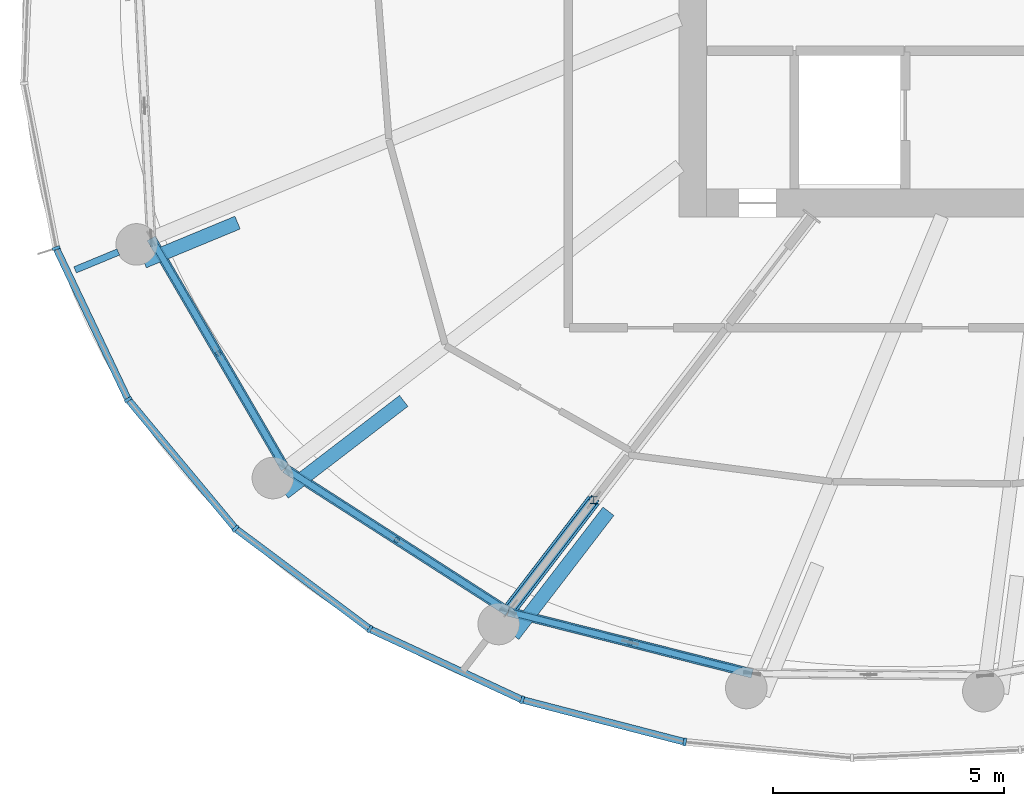
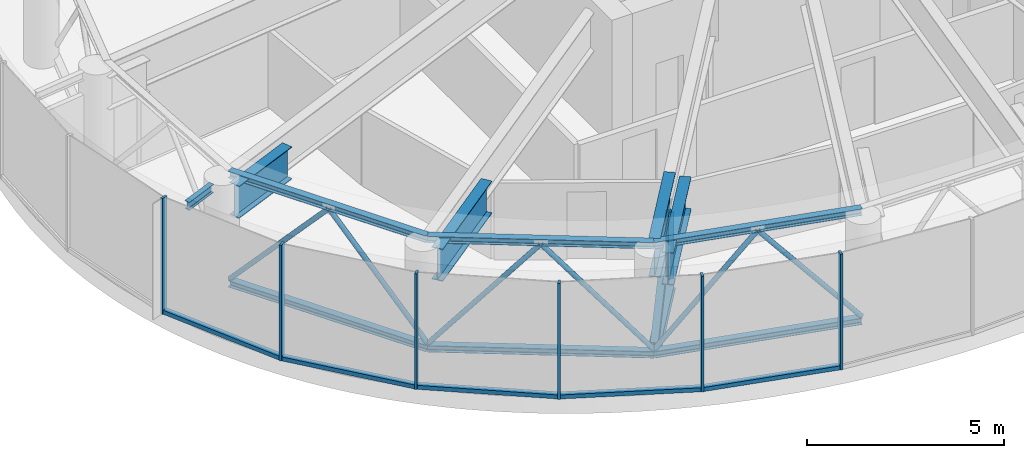
# One storey, part 2 of 26: 26 members, 5 beams, 1 element without a shape of its own.
"""IFC4 building model written with IfcOpenShell, lengths in metres."""

from ifc_helpers import new_model, si_unit, direction, frame, origin, origin_2d, place, context, subcontext, project, spatial, rectangle, hollow_circle, i_section, extrude, source, transform, mapped, material, layer, layer_set, material_profile, profile_set, type_object, element, aggregate, save


model = new_model("IFC4")

# Units and contexts
model_context = context("Model", 3, precision=1e-05, world=origin(), true_north=direction((0.0, 1.0)))
body_context = subcontext(model_context, "Body", "Model", "MODEL_VIEW")
ifc_project = project(units=[si_unit("LENGTHUNIT", "METRE"), si_unit("AREAUNIT", "SQUARE_METRE"), si_unit("VOLUMEUNIT", "CUBIC_METRE"), si_unit("PLANEANGLEUNIT", "RADIAN"), si_unit("MASSUNIT", "GRAM", prefix="KILO")], contexts=[model_context])

# Site, building, storey
site_placement = place(None, origin())
site = spatial("IfcSite", under=ifc_project, at=site_placement, CompositionType="ELEMENT")
building_placement = place(site_placement, origin())
building = spatial("IfcBuilding", under=site, at=building_placement, Name="Spindrift Exchange Tower", CompositionType="ELEMENT")
storey_placement = place(building_placement, frame((0.0, 0.0, 230.60009765625)))
storey = spatial("IfcBuildingStorey", under=building, at=storey_placement, Name="L56", CompositionType="ELEMENT", Elevation=230.60009765625)

# Beams
ifc_material_1 = material(Name="Steel Grade 300", Category="steel")
ifc_material_profile_1 = material_profile(ifc_material_1, i_section(OverallWidth=0.14599609375, OverallDepth=0.251953125, WebThickness=0.006103515625, FlangeThickness=0.008544921875, FilletRadius=0.011962890625, at=origin_2d()), Name="250UB31.4")
ifc_profile_set_1 = profile_set([ifc_material_profile_1], Name="Steel Grade 300")
beam_type_1 = type_object("IfcBeamType", Name="Cantilever Beam 250UB31.4 Steel Grade 300", PredefinedType="BEAM", material=ifc_profile_set_1)
shared_shape_1 = source(origin(), body_context, "Body", "SweptSolid", [
    extrude(i_section(OverallWidth=0.14599609375, OverallDepth=0.251953125, WebThickness=0.006103515625, FlangeThickness=0.008544921875, FilletRadius=0.011962890625, at=origin_2d()), origin(), (0.0, 0.0, 1.0), 1.014892578125),
])
beam_1_placement = place(storey_placement, frame((30.849609375, 39.2392578125, 3.453857421875), z_axis=(-0.923879047191, -0.38268460403, 0.0), x_axis=(0.38268460403, -0.923879047191, 0.0)))
element("IfcBeam", 1, at=beam_1_placement, inside=storey, type_object=beam_type_1, Name="L56 cantilever beam R14T", PredefinedType="BEAM", context=body_context, shape_type="MappedRepresentation", body=[
    mapped(shared_shape_1, transform((0.0, 0.0, 0.0), scale=1.0)),
])
ifc_material_profile_2 = material_profile(ifc_material_1, i_section(OverallWidth=0.300048828125, OverallDepth=1.199951171875, WebThickness=0.011962890625, FlangeThickness=0.028076171875, at=origin_2d()), Name="1200WB249")
ifc_profile_set_2 = profile_set([ifc_material_profile_2], Name="Steel Grade 300")
beam_type_2 = type_object("IfcBeamType", Name="Outrigger Truss Transfer Girder 1200WB249 Steel Grade 300", PredefinedType="BEAM", material=ifc_profile_set_2)
shared_shape_2 = source(origin(), body_context, "Body", "SweptSolid", [
    extrude(i_section(OverallWidth=0.300048828125, OverallDepth=1.199951171875, WebThickness=0.011962890625, FlangeThickness=0.028076171875, at=origin_2d()), origin(), (0.0, 0.0, 1.0), 2.95703125),
])
beam_2_placement = place(storey_placement, frame((41.153076171875, 33.864013671875, 2.97998046875), z_axis=(-0.608748695602, -0.793363110815, 0.0), x_axis=(0.793363110815, -0.608748695602, 0.0)))
element("IfcBeam", 2, at=beam_2_placement, inside=storey, type_object=beam_type_2, Name="L56 outrigger truss 16 top chord 2", PredefinedType="BEAM", context=body_context, shape_type="MappedRepresentation", body=[
    mapped(shared_shape_2, transform((0.0, 0.0, 0.0), scale=1.0)),
])

# Members
ifc_material_profile_3 = material_profile(ifc_material_1, i_section(OverallWidth=0.304931640625, OverallDepth=0.30810546875, WebThickness=0.010009765625, FlangeThickness=0.015380859375, FilletRadius=0.0166015625, at=origin_2d()), Name="310UC96.8")
ifc_profile_set_3 = profile_set([ifc_material_profile_3], Name="Steel Grade 300")
member_type_1 = type_object("IfcMemberType", Name="Outrigger Truss Chord 310UC96.8 Steel Grade 300", PredefinedType="CHORD", material=ifc_profile_set_3)
shared_shape_3 = source(origin(), body_context, "Body", "SweptSolid", [
    extrude(i_section(OverallWidth=0.304931640625, OverallDepth=0.30810546875, WebThickness=0.010009765625, FlangeThickness=0.015380859375, FilletRadius=0.0166015625, at=origin_2d()), origin(), (0.0, 0.0, 1.0), 2.95703125),
])
member_1_placement = place(storey_placement, frame((41.153076171875, 33.864013671875, 0.15380859375), z_axis=(-0.608748695602, -0.793363110815, 0.0), x_axis=(0.793363110815, -0.608748695602, 0.0)))
element("IfcMember", 3, at=member_1_placement, inside=storey, type_object=member_type_1, Name="L56 outrigger truss 16 bottom chord 2", PredefinedType="CHORD", context=body_context, shape_type="MappedRepresentation", body=[
    mapped(shared_shape_3, transform((0.0, 0.0, 0.0), scale=1.0)),
])
ifc_material_profile_4 = material_profile(ifc_material_1, i_section(OverallWidth=0.202880859375, OverallDepth=0.202880859375, WebThickness=0.00732421875, FlangeThickness=0.010986328125, FilletRadius=0.012939453125, at=origin_2d()), Name="200UC46.2")
ifc_profile_set_4 = profile_set([ifc_material_profile_4], Name="Steel Grade 300")
member_type_2 = type_object("IfcMemberType", Name="Outrigger Truss Diagonal 200UC46.2 Steel Grade 300", PredefinedType="BRACE", material=ifc_profile_set_4)
shared_shape_4 = source(origin(), body_context, "Body", "SweptSolid", [
    extrude(i_section(OverallWidth=0.202880859375, OverallDepth=0.202880859375, WebThickness=0.00732421875, FlangeThickness=0.010986328125, FilletRadius=0.012939453125, at=origin_2d()), origin(), (0.0, 0.0, 1.0), 3.610595703125),
])
member_2_placement = place(storey_placement, frame((41.153076171875, 33.864013671875, 2.3798828125), z_axis=(-0.498536349388, -0.649726811511, -0.573861114507), x_axis=(0.793363110815, -0.608748695602, 0.0)))
element("IfcMember", 4, at=member_2_placement, inside=storey, type_object=member_type_2, Name="L56 outrigger truss 16 diagonal 2", PredefinedType="BRACE", context=body_context, shape_type="MappedRepresentation", body=[
    mapped(shared_shape_4, transform((0.0, 0.0, 0.0), scale=1.0)),
])
ifc_material_profile_5 = material_profile(ifc_material_1, i_section(OverallWidth=0.152099609375, OverallDepth=0.152099609375, WebThickness=0.006103515625, FlangeThickness=0.0068359375, FilletRadius=0.008056640625, at=origin_2d()), Name="150UC23.4")
ifc_profile_set_5 = profile_set([ifc_material_profile_5], Name="Steel Grade 300")
member_type_3 = type_object("IfcMemberType", Name="Outrigger Truss Post 150UC23.4 Steel Grade 300", PredefinedType="POST", material=ifc_profile_set_5)
shared_shape_5 = source(origin(), body_context, "Body", "SweptSolid", [
    extrude(i_section(OverallWidth=0.152099609375, OverallDepth=0.152099609375, WebThickness=0.006103515625, FlangeThickness=0.0068359375, FilletRadius=0.008056640625, at=origin_2d()), origin(), (0.0, 0.0, 1.0), 2.072021484375),
])
member_3_placement = place(storey_placement, frame((41.153076171875, 33.864013671875, 0.307861328125), z_axis=(0.0, 0.0, 1.0), x_axis=(1.0, 0.0, 0.0)))
element("IfcMember", 5, at=member_3_placement, inside=storey, type_object=member_type_3, Name="L56 outrigger truss 16 post 1", PredefinedType="POST", context=body_context, shape_type="MappedRepresentation", body=[
    mapped(shared_shape_5, transform((0.0, 0.0, 0.0), scale=1.0)),
])
ifc_material_profile_6 = material_profile(ifc_material_1, i_section(OverallWidth=0.202880859375, OverallDepth=0.202880859375, WebThickness=0.00732421875, FlangeThickness=0.010986328125, FilletRadius=0.012939453125, at=origin_2d()), Name="200UC46.2")
ifc_profile_set_6 = profile_set([ifc_material_profile_6], Name="Steel Grade 300")
member_type_4 = type_object("IfcMemberType", Name="Belt Truss Chord 200UC46.2 Steel Grade 300", PredefinedType="CHORD", material=ifc_profile_set_6)
shared_shape_6 = source(origin(), body_context, "Body", "SweptSolid", [
    extrude(i_section(OverallWidth=0.202880859375, OverallDepth=0.202880859375, WebThickness=0.00732421875, FlangeThickness=0.010986328125, FilletRadius=0.012939453125, at=origin_2d()), origin(), (0.0, 0.0, 1.0), 5.77197265625),
])
for number, where, z_axis, x_axis, name in (
    (6, (31.56103515625, 39.533935546875, 3.478515625), (0.503550144422, -0.863966001676, 0.0), (0.863966001676, 0.503550144422, 0.0), "L56 belt truss 14 top chord"),
    (7, (31.56103515625, 39.533935546875, 0.101318359375), (0.503550144422, -0.863966001676, 0.0), (0.863966001676, 0.503550144422, 0.0), "L56 belt truss 14 bottom chord"),
):
    element("IfcMember", number, at=place(storey_placement, frame(where, z_axis=z_axis, x_axis=x_axis)), inside=storey, type_object=member_type_4, Name=name, PredefinedType="CHORD", context=body_context, shape_type="MappedRepresentation", body=[
        mapped(shared_shape_6, transform((0.0, 0.0, 0.0), scale=1.0)),
    ])
ifc_material_2 = material(Name="Steel Grade 350", Category="steel")
ifc_material_profile_7 = material_profile(ifc_material_2, hollow_circle(Radius=0.06982421875, WallThickness=0.00537109375, at=origin_2d()), Name="139.7x5.4CHS")
ifc_profile_set_7 = profile_set([ifc_material_profile_7], Name="Steel Grade 350")
member_type_5 = type_object("IfcMemberType", Name="Belt Truss Diagonal 139.7x5.4CHS Steel Grade 350", PredefinedType="BRACE", material=ifc_profile_set_7)
shared_shape_7 = source(origin(), body_context, "Body", "SweptSolid", [
    extrude(hollow_circle(Radius=0.06982421875, WallThickness=0.00537109375, at=origin_2d()), origin(), (0.0, 0.0, 1.0), 4.2900390625),
])
member_4_placement = place(storey_placement, frame((31.56103515625, 39.533935546875, 0.202880859375), z_axis=(0.338769469925, -0.58125169928, 0.739852490927), x_axis=(0.863969049968, 0.50354491428, 0.0)))
element("IfcMember", 8, at=member_4_placement, inside=storey, type_object=member_type_5, Name="L56 belt truss 14 diagonal 1", PredefinedType="BRACE", context=body_context, shape_type="MappedRepresentation", body=[
    mapped(shared_shape_7, transform((0.0, 0.0, 0.0), scale=1.0)),
])
shared_shape_8 = source(origin(), body_context, "Body", "SweptSolid", [
    extrude(hollow_circle(Radius=0.06982421875, WallThickness=0.00537109375, at=origin_2d()), origin(), (0.0, 0.0, 1.0), 4.289794921875),
])
member_5_placement = place(storey_placement, frame((33.014404296875, 37.040283203125, 3.376953125), z_axis=(0.338741500926, -0.581187534854, -0.739915701199), x_axis=(0.863962952778, 0.503555375532, 0.0)))
element("IfcMember", 9, at=member_5_placement, inside=storey, type_object=member_type_5, Name="L56 belt truss 14 diagonal 2", PredefinedType="BRACE", context=body_context, shape_type="MappedRepresentation", body=[
    mapped(shared_shape_8, transform((0.0, 0.0, 0.0), scale=1.0)),
])
shared_shape_9 = source(origin(), body_context, "Body", "SweptSolid", [
    extrude(i_section(OverallWidth=0.202880859375, OverallDepth=0.202880859375, WebThickness=0.00732421875, FlangeThickness=0.010986328125, FilletRadius=0.012939453125, at=origin_2d()), origin(), (0.0, 0.0, 1.0), 5.739990234375),
])
for number, where, z_axis, x_axis, name in (
    (10, (34.467529296875, 34.547119140625, 3.478515625), (0.841556919883, -0.540168446503, 0.0), (0.540168446503, 0.841556919883, 0.0), "L56 belt truss 15 top chord"),
    (11, (34.467529296875, 34.547119140625, 0.101318359375), (0.841556919883, -0.540168446503, 0.0), (0.540168446503, 0.841556919883, 0.0), "L56 belt truss 15 bottom chord"),
):
    element("IfcMember", number, at=place(storey_placement, frame(where, z_axis=z_axis, x_axis=x_axis)), inside=storey, type_object=member_type_4, Name=name, PredefinedType="CHORD", context=body_context, shape_type="MappedRepresentation", body=[
        mapped(shared_shape_9, transform((0.0, 0.0, 0.0), scale=1.0)),
    ])
shared_shape_10 = source(origin(), body_context, "Body", "SweptSolid", [
    extrude(hollow_circle(Radius=0.06982421875, WallThickness=0.00537109375, at=origin_2d()), origin(), (0.0, 0.0, 1.0), 4.279296875),
])
for number, where, z_axis, x_axis, name in (
    (12, (34.467529296875, 34.547119140625, 0.202880859375), (0.564421179541, -0.362283886595, 0.74174059994), (0.540168446503, 0.841556919883, 0.0), "L56 belt truss 15 diagonal 1"),
    (13, (36.8828125, 32.996826171875, 3.376953125), (0.564421179541, -0.362283886595, -0.74174059994), (0.540168446503, 0.841556919883, 0.0), "L56 belt truss 15 diagonal 2"),
):
    element("IfcMember", number, at=place(storey_placement, frame(where, z_axis=z_axis, x_axis=x_axis)), inside=storey, type_object=member_type_5, Name=name, PredefinedType="BRACE", context=body_context, shape_type="MappedRepresentation", body=[
        mapped(shared_shape_10, transform((0.0, 0.0, 0.0), scale=1.0)),
    ])
shared_shape_11 = source(origin(), body_context, "Body", "SweptSolid", [
    extrude(i_section(OverallWidth=0.202880859375, OverallDepth=0.202880859375, WebThickness=0.00732421875, FlangeThickness=0.010986328125, FilletRadius=0.012939453125, at=origin_2d()), origin(), (0.0, 0.0, 1.0), 5.456787109375),
])
for number, where, z_axis, x_axis, name in (
    (14, (39.298095703125, 31.446533203125, 3.478515625), (0.96928648639, -0.245934355674, 0.0), (0.245934355674, 0.96928648639, 0.0), "L56 belt truss 16 top chord"),
    (15, (39.298095703125, 31.446533203125, 0.101318359375), (0.96928648639, -0.245934355674, 0.0), (0.245934355674, 0.96928648639, 0.0), "L56 belt truss 16 bottom chord"),
):
    element("IfcMember", number, at=place(storey_placement, frame(where, z_axis=z_axis, x_axis=x_axis)), inside=storey, type_object=member_type_4, Name=name, PredefinedType="CHORD", context=body_context, shape_type="MappedRepresentation", body=[
        mapped(shared_shape_11, transform((0.0, 0.0, 0.0), scale=1.0)),
    ])
shared_shape_12 = source(origin(), body_context, "Body", "SweptSolid", [
    extrude(hollow_circle(Radius=0.06982421875, WallThickness=0.00537109375, at=origin_2d()), origin(), (0.0, 0.0, 1.0), 4.185791015625),
])
member_6_placement = place(storey_placement, frame((39.298095703125, 31.446533203125, 0.202880859375), z_axis=(0.631861210271, -0.160342145946, 0.758315110748), x_axis=(0.245965722458, 0.969278527244, 0.0)))
element("IfcMember", 16, at=member_6_placement, inside=storey, type_object=member_type_5, Name="L56 belt truss 16 diagonal 1", PredefinedType="BRACE", context=body_context, shape_type="MappedRepresentation", body=[
    mapped(shared_shape_12, transform((0.0, 0.0, 0.0), scale=1.0)),
])
shared_shape_13 = source(origin(), body_context, "Body", "SweptSolid", [
    extrude(hollow_circle(Radius=0.06982421875, WallThickness=0.00537109375, at=origin_2d()), origin(), (0.0, 0.0, 1.0), 4.185546875),
])
member_7_placement = place(storey_placement, frame((41.94287109375, 30.775390625, 3.376953125), z_axis=(0.63183207654, -0.160291224735, -0.758350150213), x_axis=(0.245902985222, 0.969294445387, 0.0)))
element("IfcMember", 17, at=member_7_placement, inside=storey, type_object=member_type_5, Name="L56 belt truss 16 diagonal 2", PredefinedType="BRACE", context=body_context, shape_type="MappedRepresentation", body=[
    mapped(shared_shape_13, transform((0.0, 0.0, 0.0), scale=1.0)),
])

# Beams
ifc_material_profile_8 = material_profile(ifc_material_1, i_section(OverallWidth=0.300048828125, OverallDepth=1.0, WebThickness=0.010009765625, FlangeThickness=0.02001953125, at=origin_2d()), Name="1000WB215")
ifc_profile_set_8 = profile_set([ifc_material_profile_8], Name="Steel Grade 300")
beam_type_3 = type_object("IfcBeamType", Name="Transfer Tie Beam 1000WB215 Steel Grade 300", PredefinedType="BEAM", material=ifc_profile_set_8)
shared_shape_14 = source(origin(), body_context, "Body", "SweptSolid", [
    extrude(i_section(OverallWidth=0.300048828125, OverallDepth=1.0, WebThickness=0.010009765625, FlangeThickness=0.02001953125, at=origin_2d()), origin(), (0.0, 0.0, 1.0), 2.201171875),
])
beam_3_placement = place(storey_placement, frame((31.39990234375, 39.0341796875, 2.97998046875), z_axis=(0.923895176824, 0.38264566147, 0.0), x_axis=(-0.38264566147, 0.923895176824, 0.0)))
element("IfcBeam", 18, at=beam_3_placement, inside=storey, type_object=beam_type_3, Name="L56 transfer tie beam K14", PredefinedType="BEAM", context=body_context, shape_type="MappedRepresentation", body=[
    mapped(shared_shape_14, transform((0.0, 0.0, 0.0), scale=1.0)),
])
shared_shape_15 = source(origin(), body_context, "Body", "SweptSolid", [
    extrude(i_section(OverallWidth=0.300048828125, OverallDepth=1.0, WebThickness=0.010009765625, FlangeThickness=0.02001953125, at=origin_2d()), origin(), (0.0, 0.0, 1.0), 3.26806640625),
])
beam_4_placement = place(storey_placement, frame((34.44140625, 34.022705078125, 2.97998046875), z_axis=(0.793353795333, 0.608760835986, 0.0), x_axis=(-0.608760835986, 0.793353795333, 0.0)))
element("IfcBeam", 19, at=beam_4_placement, inside=storey, type_object=beam_type_3, Name="L56 transfer tie beam K15", PredefinedType="BEAM", context=body_context, shape_type="MappedRepresentation", body=[
    mapped(shared_shape_15, transform((0.0, 0.0, 0.0), scale=1.0)),
])
shared_shape_16 = source(origin(), body_context, "Body", "SweptSolid", [
    extrude(i_section(OverallWidth=0.300048828125, OverallDepth=1.0, WebThickness=0.010009765625, FlangeThickness=0.02001953125, at=origin_2d()), origin(), (0.0, 0.0, 1.0), 3.38720703125),
])
beam_5_placement = place(storey_placement, frame((39.408447265625, 30.933349609375, 2.97998046875), z_axis=(0.608762873611, 0.793352231807, 0.0), x_axis=(-0.793352231807, 0.608762873611, 0.0)))
element("IfcBeam", 20, at=beam_5_placement, inside=storey, type_object=beam_type_3, Name="L56 transfer tie beam K16", PredefinedType="BEAM", context=body_context, shape_type="MappedRepresentation", body=[
    mapped(shared_shape_16, transform((0.0, 0.0, 0.0), scale=1.0)),
])

# Curtain wall, members
ifc_material_3 = material(Name="Fritted laminated glass with bronze frame", Category="glass")
ifc_layer = layer(ifc_material_3, 0.169921875)
ifc_layer_set = layer_set([ifc_layer], Name="ZONE 4 BRONZE FRITTED WALL")
curtain_wall_type = type_object("IfcCurtainWallType", Name="ZONE 4 BRONZE FRITTED WALL", PredefinedType="NOTDEFINED", material=ifc_layer_set)
curtain_wall_placement = place(storey_placement, origin())
curtain_wall = element("IfcCurtainWall", 21, at=curtain_wall_placement, inside=storey, type_object=curtain_wall_type, Name="L56 Zone 4 Bronze Fritted Wall run 4", PredefinedType="NOTDEFINED")
ifc_material_4 = material(Name="Bronze anodised aluminium", Category="aluminium")
ifc_material_profile_9 = material_profile(ifc_material_4, rectangle(XDim=0.06494140625, YDim=0.169921875, at=origin_2d()), Name="ZONE 4 BRONZE FRITTED WALL MULLION 65X170")
ifc_profile_set_9 = profile_set([ifc_material_profile_9], Name="Bronze anodised aluminium")
member_type_6 = type_object("IfcMemberType", Name="ZONE 4 BRONZE FRITTED WALL MULLION 65X170", PredefinedType="MULLION", material=ifc_profile_set_9)
shared_shape_17 = source(origin(), body_context, "Body", "SweptSolid", [
    extrude(rectangle(XDim=0.06494140625, YDim=0.169921875, at=origin_2d()), origin(), (0.0, 0.0, 1.0), 3.579833984375),
])
member_8_placement = place(storey_placement, frame((29.50146484375, 39.324462890625, 0.0), z_axis=(0.0, 0.0, 1.0), x_axis=(0.312682635461, -0.949857657484, 0.0)))
member_8 = element("IfcMember", 22, at=member_8_placement, type_object=member_type_6, Name="L56 mullion CW-4.19", PredefinedType="MULLION", context=body_context, shape_type="MappedRepresentation", body=[
    mapped(shared_shape_17, transform((0.0, 0.0, 0.0), scale=1.0)),
])
member_9_placement = place(storey_placement, frame((31.061279296875, 36.041015625, 0.0), z_axis=(0.0, 0.0, 1.0), x_axis=(0.538739429275, -0.842472449012, 0.0)))
member_9 = element("IfcMember", 23, at=member_9_placement, type_object=member_type_6, Name="L56 mullion CW-4.20", PredefinedType="MULLION", context=body_context, shape_type="MappedRepresentation", body=[
    mapped(shared_shape_17, transform((0.0, 0.0, 0.0), scale=1.0)),
])
member_10_placement = place(storey_placement, frame((33.387939453125, 33.2470703125, 0.0), z_axis=(0.0, 0.0, 1.0), x_axis=(0.725221541091, -0.68851558903, 0.0)))
member_10 = element("IfcMember", 24, at=member_10_placement, type_object=member_type_6, Name="L56 mullion CW-4.21", PredefinedType="MULLION", context=body_context, shape_type="MappedRepresentation", body=[
    mapped(shared_shape_17, transform((0.0, 0.0, 0.0), scale=1.0)),
])
member_11_placement = place(storey_placement, frame((36.300048828125, 31.067626953125, 0.0), z_axis=(0.0, 0.0, 1.0), x_axis=(0.858412381225, -0.512960216546, 0.0)))
member_11 = element("IfcMember", 25, at=member_11_placement, type_object=member_type_6, Name="L56 mullion CW-4.22", PredefinedType="MULLION", context=body_context, shape_type="MappedRepresentation", body=[
    mapped(shared_shape_17, transform((0.0, 0.0, 0.0), scale=1.0)),
])
member_12_placement = place(storey_placement, frame((39.6005859375, 29.534912109375, 0.0), z_axis=(0.0, 0.0, 1.0), x_axis=(0.941346163629, -0.337442439863, 0.0)))
member_12 = element("IfcMember", 26, at=member_12_placement, type_object=member_type_6, Name="L56 mullion CW-4.23", PredefinedType="MULLION", context=body_context, shape_type="MappedRepresentation", body=[
    mapped(shared_shape_17, transform((0.0, 0.0, 0.0), scale=1.0)),
])
member_13_placement = place(storey_placement, frame((43.124755859375, 28.621337890625, 0.0), z_axis=(0.0, 0.0, 1.0), x_axis=(0.984845910262, -0.173431637947, 0.0)))
member_13 = element("IfcMember", 27, at=member_13_placement, type_object=member_type_6, Name="L56 mullion CW-4.24", PredefinedType="MULLION", context=body_context, shape_type="MappedRepresentation", body=[
    mapped(shared_shape_17, transform((0.0, 0.0, 0.0), scale=1.0)),
])
ifc_material_profile_10 = material_profile(ifc_material_4, rectangle(XDim=0.14990234375, YDim=0.125, at=origin_2d()), Name="ZONE 4 BRONZE FRITTED WALL TRANSOM 150X125")
ifc_profile_set_10 = profile_set([ifc_material_profile_10], Name="Bronze anodised aluminium")
member_type_7 = type_object("IfcMemberType", Name="ZONE 4 BRONZE FRITTED WALL TRANSOM 150X125", PredefinedType="USERDEFINED", material=ifc_profile_set_10)
shared_shape_18 = source(origin(), body_context, "Body", "SweptSolid", [
    extrude(rectangle(XDim=0.14990234375, YDim=0.125, at=origin_2d()), origin(), (0.0, 0.0, 1.0), 3.573974609375),
])
member_14_placement = place(storey_placement, frame((36.32958984375, 31.053955078125, 0.0625), z_axis=(0.906965166388, -0.421205635004, 0.0), x_axis=(0.421205635004, 0.906965166388, 0.0)))
member_14 = element("IfcMember", 28, at=member_14_placement, type_object=member_type_7, Name="L56 transom CW-4.22", ObjectType="TRANSOM", PredefinedType="USERDEFINED", context=body_context, shape_type="MappedRepresentation", body=[
    mapped(shared_shape_18, transform((0.0, 0.0, 0.0), scale=1.0)),
])
shared_shape_19 = source(origin(), body_context, "Body", "SweptSolid", [
    extrude(rectangle(XDim=0.14990234375, YDim=0.125, at=origin_2d()), origin(), (0.0, 0.0, 1.0), 3.570068359375),
])
member_15_placement = place(storey_placement, frame((29.515380859375, 39.294921875, 0.0625), z_axis=(0.429123769848, -0.903245697555, 0.0), x_axis=(0.903245697555, 0.429123769848, 0.0)))
member_15 = element("IfcMember", 29, at=member_15_placement, type_object=member_type_7, Name="L56 transom CW-4.19", ObjectType="TRANSOM", PredefinedType="USERDEFINED", context=body_context, shape_type="MappedRepresentation", body=[
    mapped(shared_shape_19, transform((0.0, 0.0, 0.0), scale=1.0)),
])
shared_shape_20 = source(origin(), body_context, "Body", "SweptSolid", [
    extrude(rectangle(XDim=0.14990234375, YDim=0.125, at=origin_2d()), origin(), (0.0, 0.0, 1.0), 3.57568359375),
])
member_16_placement = place(storey_placement, frame((39.632080078125, 29.526611328125, 0.0625), z_axis=(0.968005498419, -0.250928984037, 0.0), x_axis=(0.250928984037, 0.968005498419, 0.0)))
member_16 = element("IfcMember", 30, at=member_16_placement, type_object=member_type_7, Name="L56 transom CW-4.23", ObjectType="TRANSOM", PredefinedType="USERDEFINED", context=body_context, shape_type="MappedRepresentation", body=[
    mapped(shared_shape_20, transform((0.0, 0.0, 0.0), scale=1.0)),
])
shared_shape_21 = source(origin(), body_context, "Body", "SweptSolid", [
    extrude(rectangle(XDim=0.14990234375, YDim=0.125, at=origin_2d()), origin(), (0.0, 0.0, 1.0), 3.572265625),
])
member_17_placement = place(storey_placement, frame((33.413818359375, 33.2275390625, 0.0625), z_axis=(0.800631040558, -0.599157689507, 0.0), x_axis=(0.599157689507, 0.800631040558, 0.0)))
member_17 = element("IfcMember", 31, at=member_17_placement, type_object=member_type_7, Name="L56 transom CW-4.21", ObjectType="TRANSOM", PredefinedType="USERDEFINED", context=body_context, shape_type="MappedRepresentation", body=[
    mapped(shared_shape_21, transform((0.0, 0.0, 0.0), scale=1.0)),
])
shared_shape_22 = source(origin(), body_context, "Body", "SweptSolid", [
    extrude(rectangle(XDim=0.14990234375, YDim=0.125, at=origin_2d()), origin(), (0.0, 0.0, 1.0), 3.571044921875),
])
member_18_placement = place(storey_placement, frame((31.08203125, 36.01611328125, 0.0625), z_axis=(0.639915375396, -0.768445386694, 0.0), x_axis=(0.768445386694, 0.639915375396, 0.0)))
member_18 = element("IfcMember", 32, at=member_18_placement, type_object=member_type_7, Name="L56 transom CW-4.20", ObjectType="TRANSOM", PredefinedType="USERDEFINED", context=body_context, shape_type="MappedRepresentation", body=[
    mapped(shared_shape_22, transform((0.0, 0.0, 0.0), scale=1.0)),
])
aggregate(curtain_wall, [member_8, member_15, member_9, member_18, member_10, member_17, member_11, member_14, member_12, member_16, member_13])

save(model, "model.ifc")
